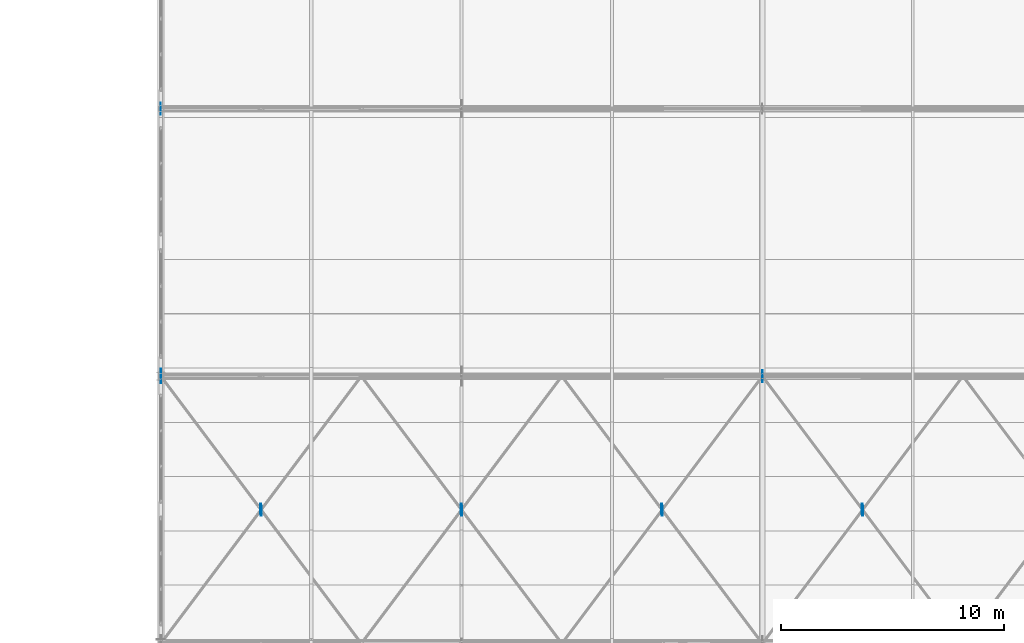
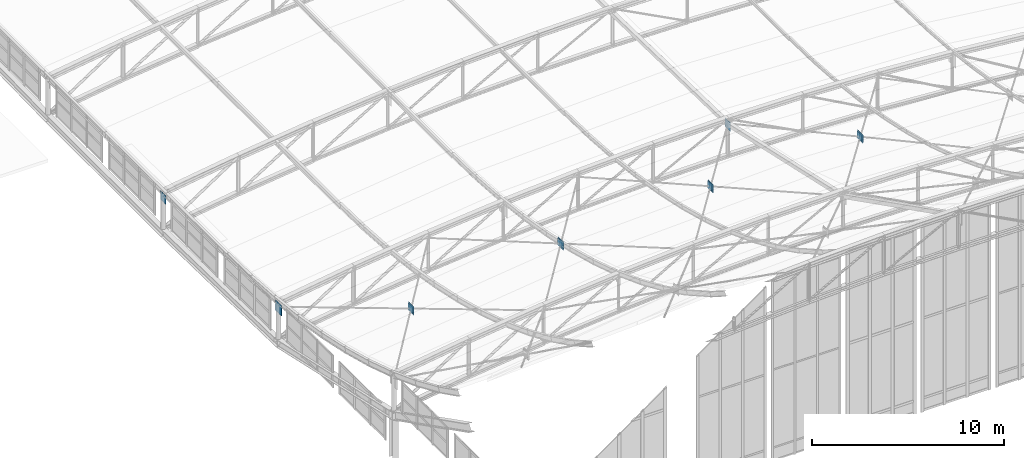
# One storey, part 245 of 262: 15 plates.
"""IFC4 building model written with IfcOpenShell, lengths in metres."""

from ifc_helpers import new_model, si_unit, derived_unit, direction, frame, origin, origin_2d, place, context, subcontext, project, spatial, rectangle, extrude, material, layer, layer_set, type_object, element, save


model = new_model("IFC4")

# Units and contexts
model_context = context("Model", 3, precision=1e-05, world=origin(), true_north=direction((0.0, 1.0)))
body_context = subcontext(model_context, "Body", "Model", "MODEL_VIEW")
ifc_project = project(units=[si_unit("LENGTHUNIT", "METRE"), si_unit("AREAUNIT", "SQUARE_METRE"), si_unit("VOLUMEUNIT", "CUBIC_METRE"), si_unit("PLANEANGLEUNIT", "RADIAN"), si_unit("MASSUNIT", "GRAM", prefix="KILO"), derived_unit("THERMALTRANSMITTANCEUNIT", [(si_unit("POWERUNIT", "WATT"), 1), (si_unit("LENGTHUNIT", "METRE"), -2), (si_unit("THERMODYNAMICTEMPERATUREUNIT", "KELVIN"), -1)])], contexts=[model_context])

# Site, building, storey
site_placement = place(None, origin())
site = spatial("IfcSite", under=ifc_project, at=site_placement, CompositionType="ELEMENT")
building_placement = place(site_placement, origin())
building = spatial("IfcBuilding", under=site, at=building_placement, Name="Almenara Railside Exhibition Hall", CompositionType="ELEMENT")
storey_placement = place(building_placement, frame((0.0, 0.0, 21.699951171875)))
storey = spatial("IfcBuildingStorey", under=building, at=storey_placement, Name="RF", CompositionType="ELEMENT", Elevation=21.699951171875)

# Plates
ifc_material = material(Name="Structural steel S355JR", Category="steel")
ifc_layer_1 = layer(ifc_material, 0.011962890625, Name="Structural steel S355JR")
ifc_layer_set_1 = layer_set([ifc_layer_1], Name="Structural steel S355JR")
plate_type_1 = type_object("IfcPlateType", Name="Truss Node Gusset Plate 12mm S355JR", PredefinedType="USERDEFINED", material=ifc_layer_set_1)
for number, where, z_axis, x_axis, name in (
    (1, (16.529541015625, 65.960693359375, 1.6220703125), (0.0, 0.0, 1.0), (0.0, 1.0, 0.0), "PLT-GUS-0060"),
    (2, (16.470458984375, 66.039306640625, 1.59619140625), (0.0, 0.0, 1.0), (0.0, 1.0, 0.0), "PLT-GUS-0061"),
    (3, (25.52978515625, 65.96044921875, 2.59814453125), (0.0, 0.0, 1.0), (0.0, 1.0, 0.0), "PLT-GUS-0063"),
    (4, (25.47021484375, 66.03955078125, 2.57568359375), (0.0, 0.0, 1.0), (0.0, 1.0, 0.0), "PLT-GUS-0064"),
    (5, (34.52978515625, 65.960205078125, 3.08544921875), (0.0, 0.0, 1.0), (0.0, 1.0, 0.0), "PLT-GUS-0066"),
    (6, (34.47021484375, 66.039794921875, 3.06591796875), (0.0, 0.0, 1.0), (0.0, 1.0, 0.0), "PLT-GUS-0067"),
    (7, (43.530029296875, 65.9599609375, 3.083984375), (0.0, 0.0, 1.0), (0.0, 1.0, 0.0), "PLT-GUS-0069"),
    (8, (43.469970703125, 66.0400390625, 3.06787109375), (0.0, 0.0, 1.0), (0.0, 1.0, 0.0), "PLT-GUS-0070"),
):
    element("IfcPlate", number, at=place(storey_placement, frame(where, z_axis=z_axis, x_axis=x_axis)), inside=storey, type_object=plate_type_1, Name=name, ObjectType="GUSSET_PLATE", PredefinedType="USERDEFINED", context=body_context, shape_type="SweptSolid", body=[
        extrude(rectangle(XDim=0.449951171875, YDim=0.011962890625, at=origin_2d()), origin(), (0.0, 0.0, 1.0), 0.449951171875),
    ])
ifc_layer_2 = layer(ifc_material, 0.01611328125, Name="Structural steel S355JR")
ifc_layer_set_2 = layer_set([ifc_layer_2], Name="Structural steel S355JR")
plate_type_2 = type_object("IfcPlateType", Name="Truss Node Gusset Plate 16mm S355JR", PredefinedType="USERDEFINED", material=ifc_layer_set_2)
for number, where, z_axis, x_axis, name in (
    (9, (39.0, 72.0, 1.73974609375), (0.0, 0.0, 1.0), (0.0, 1.0, 0.0), "PLT-GUS-0013"),
    (10, (12.0, 84.0, -0.72509765625), (0.0, 0.0, 1.0), (0.0, 1.0, 0.0), "PLT-GUS-0016"),
    (11, (16.5, 66.0, 1.55908203125), (0.0, 0.0, 1.0), (0.0, 1.0, 0.0), "PLT-GUS-0059"),
    (12, (25.5, 66.0, 2.53662109375), (0.0, 0.0, 1.0), (0.0, 1.0, 0.0), "PLT-GUS-0062"),
    (13, (34.5, 66.0, 3.02587890625), (0.0, 0.0, 1.0), (0.0, 1.0, 0.0), "PLT-GUS-0065"),
    (14, (43.5, 66.0, 3.02587890625), (0.0, 0.0, 1.0), (0.0, 1.0, 0.0), "PLT-GUS-0068"),
):
    element("IfcPlate", number, at=place(storey_placement, frame(where, z_axis=z_axis, x_axis=x_axis)), inside=storey, type_object=plate_type_2, Name=name, ObjectType="GUSSET_PLATE", PredefinedType="USERDEFINED", context=body_context, shape_type="SweptSolid", body=[
        extrude(rectangle(XDim=0.550048828125, YDim=0.01611328125, at=origin_2d()), origin(), (0.0, 0.0, 1.0), 0.550048828125),
    ])
ifc_layer_3 = layer(ifc_material, 0.02001953125, Name="Structural steel S355JR")
ifc_layer_set_3 = layer_set([ifc_layer_3], Name="Structural steel S355JR")
plate_type_3 = type_object("IfcPlateType", Name="Truss Node Gusset Plate 20mm S355JR", PredefinedType="USERDEFINED", material=ifc_layer_set_3)
plate_placement = place(storey_placement, frame((12.0, 72.0, -0.51025390625), z_axis=(0.0, 0.0, 1.0), x_axis=(0.0, 1.0, 0.0)))
element("IfcPlate", 15, at=plate_placement, inside=storey, type_object=plate_type_3, Name="PLT-GUS-0011", ObjectType="GUSSET_PLATE", PredefinedType="USERDEFINED", context=body_context, shape_type="SweptSolid", body=[
    extrude(rectangle(XDim=0.64990234375, YDim=0.02001953125, at=origin_2d()), origin(), (0.0, 0.0, 1.0), 0.64990234375),
])

save(model, "model.ifc")
